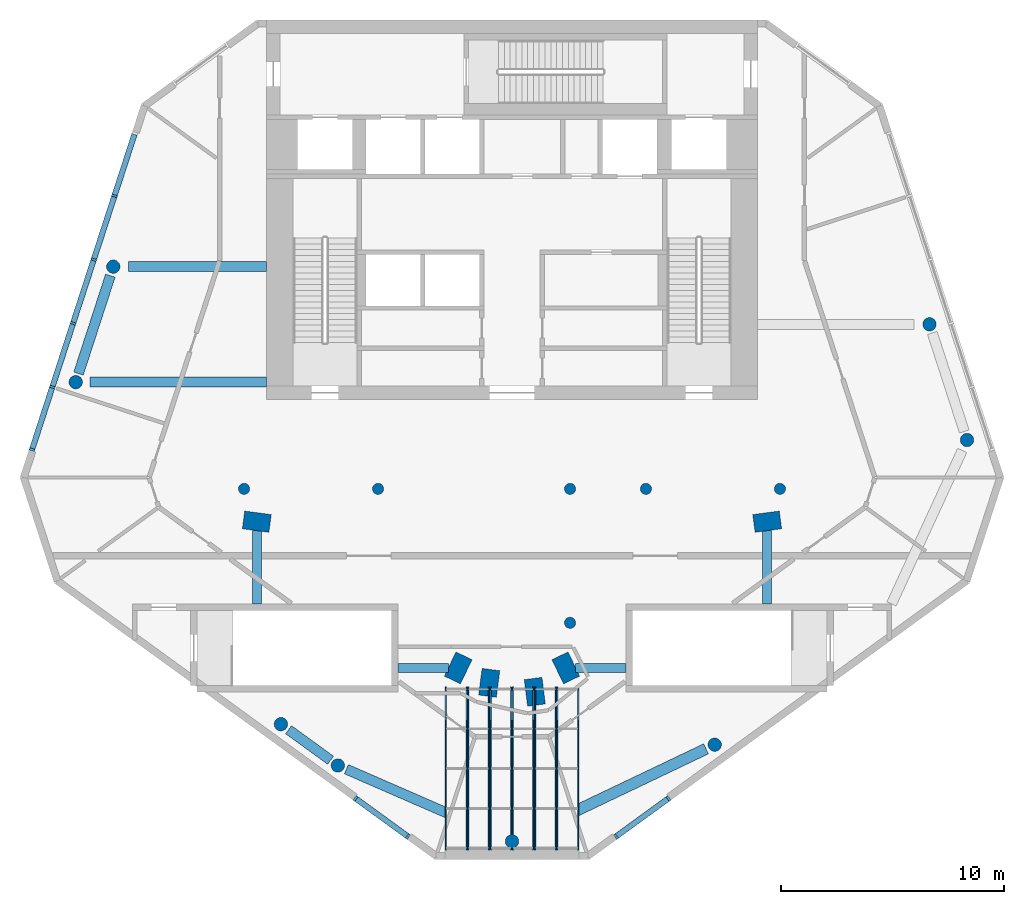
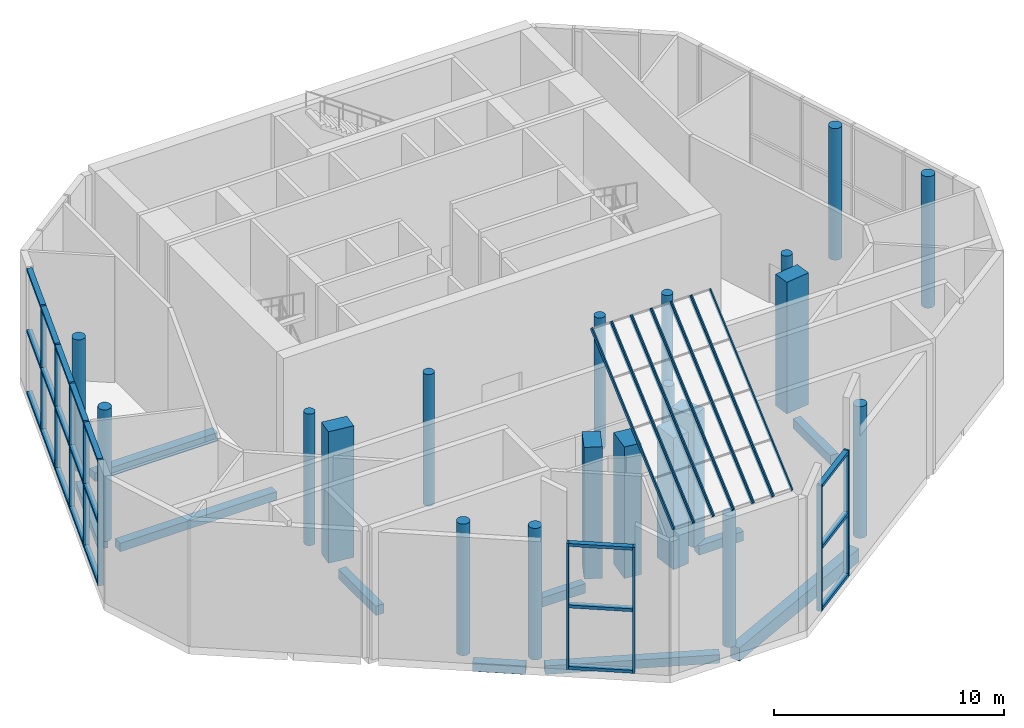
# One storey, part 1 of 9: 42 members, 20 columns, 10 beams, 9 elements without a shape of their own.
"""IFC4 building model written with IfcOpenShell, lengths in metres."""

from ifc_helpers import new_model, si_unit, direction, frame, origin, origin_2d, place, context, subcontext, project, spatial, rectangle, circle, extrude, material, material_profile, profile_set, type_object, element, aggregate, save


model = new_model("IFC4")

# Units and contexts
model_context = context("Model", 3, precision=1e-05, world=origin(), true_north=direction((0.0, 1.0)))
body_context = subcontext(model_context, "Body", "Model", "MODEL_VIEW")
ifc_project = project(units=[si_unit("LENGTHUNIT", "METRE"), si_unit("AREAUNIT", "SQUARE_METRE"), si_unit("VOLUMEUNIT", "CUBIC_METRE"), si_unit("PLANEANGLEUNIT", "RADIAN"), si_unit("MASSUNIT", "GRAM", prefix="KILO")], contexts=[model_context])

# Site, building, storey
site_placement = place(None, origin())
site = spatial("IfcSite", under=ifc_project, at=site_placement, CompositionType="ELEMENT")
building_placement = place(site_placement, origin())
building = spatial("IfcBuilding", under=site, at=building_placement, Name="White Candle Pilgrim Tower", CompositionType="ELEMENT")
storey_placement = place(building_placement, frame((0.0, 0.0, 321.699951171875)))
storey = spatial("IfcBuildingStorey", under=building, at=storey_placement, Name="L76", CompositionType="ELEMENT", Elevation=321.699951171875)

# Columns
ifc_material_1 = material(Name="Concrete C60/75", Category="concrete")
ifc_material_profile_1 = material_profile(ifc_material_1, circle(Radius=0.25, at=origin_2d()), Name="RC-COL D500")
ifc_profile_set_1 = profile_set([ifc_material_profile_1], Name="Concrete C60/75")
column_type_1 = type_object("IfcColumnType", Name="Interior column RC-COL D500 C60/75", PredefinedType="COLUMN", material=ifc_profile_set_1)
for number, where, z_axis, x_axis, name in (
    (1, (58.0, 67.0, 0.0), (0.0, 0.0, 1.0), (1.0, 0.0, 0.0), "L76 column I01"),
    (2, (64.0, 67.0, 0.0), (0.0, 0.0, 1.0), (1.0, 0.0, 0.0), "L76 column I02"),
    (3, (72.60009765625, 61.0, 0.0), (0.0, 0.0, 1.0), (1.0, 0.0, 0.0), "L76 column I03"),
    (4, (72.60009765625, 67.0, 0.0), (0.0, 0.0, 1.0), (1.0, 0.0, 0.0), "L76 column I04"),
    (5, (76.0, 67.0, 0.0), (0.0, 0.0, 1.0), (1.0, 0.0, 0.0), "L76 column I05"),
    (6, (82.0, 67.0, 0.0), (0.0, 0.0, 1.0), (1.0, 0.0, 0.0), "L76 column I06"),
):
    element("IfcColumn", number, at=place(storey_placement, frame(where, z_axis=z_axis, x_axis=x_axis)), inside=storey, type_object=column_type_1, Name=name, PredefinedType="COLUMN", context=body_context, shape_type="SweptSolid", body=[
        extrude(circle(Radius=0.25, at=origin_2d()), origin(), (0.0, 0.0, 1.0), 7.0),
    ])
ifc_material_profile_2 = material_profile(ifc_material_1, circle(Radius=0.300048828125, at=origin_2d()), Name="RC-COL D600")
ifc_profile_set_2 = profile_set([ifc_material_profile_2], Name="Concrete C60/75")
column_type_2 = type_object("IfcColumnType", Name="Perimeter column RC-COL D600 C60/75", PredefinedType="COLUMN", material=ifc_profile_set_2)
for number, where, z_axis, x_axis, name in (
    (7, (59.64990234375, 56.4599609375, 0.0), (0.0, 0.0, 1.0), (1.0, 0.0, 0.0), "L76 crown column T01"),
    (8, (62.199951171875, 54.610107421875, 0.0), (0.0, 0.0, 1.0), (1.0, 0.0, 0.0), "L76 crown column T02"),
    (9, (70.0, 51.2099609375, 0.0), (0.0, 0.0, 1.0), (1.0, 0.0, 0.0), "L76 crown column T03"),
    (10, (79.080078125, 55.5400390625, 0.0), (0.0, 0.0, 1.0), (1.0, 0.0, 0.0), "L76 crown column T04"),
    (11, (90.3798828125, 69.18994140625, 0.0), (0.0, 0.0, 1.0), (1.0, 0.0, 0.0), "L76 crown column T05"),
    (12, (88.699951171875, 74.3701171875, 0.0), (0.0, 0.0, 1.0), (1.0, 0.0, 0.0), "L76 crown column T06"),
    (13, (52.139892578125, 76.949951171875, 0.0), (0.0, 0.0, 1.0), (1.0, 0.0, 0.0), "L76 crown column T07"),
    (14, (50.4599609375, 71.780029296875, 0.0), (0.0, 0.0, 1.0), (1.0, 0.0, 0.0), "L76 crown column T08"),
):
    element("IfcColumn", number, at=place(storey_placement, frame(where, z_axis=z_axis, x_axis=x_axis)), inside=storey, type_object=column_type_2, Name=name, PredefinedType="COLUMN", context=body_context, shape_type="SweptSolid", body=[
        extrude(circle(Radius=0.300048828125, at=origin_2d()), origin(), (0.0, 0.0, 1.0), 7.0),
    ])
ifc_material_profile_3 = material_profile(ifc_material_1, rectangle(XDim=0.800048828125, YDim=1.199951171875, at=origin_2d()), Name="RC-PR 800x1200")
ifc_profile_set_3 = profile_set([ifc_material_profile_3], Name="Concrete C60/75")
column_type_3 = type_object("IfcColumnType", Name="Ring column RC-PR 800x1200 C60/75", PredefinedType="COLUMN", material=ifc_profile_set_3)
for number, where, z_axis, x_axis, name in (
    (15, (67.590087890625, 58.97998046875, 0.0), (0.0, 0.0, 1.0), (-0.901689191761, 0.43238478403, 0.0), "L76 column R01"),
    (16, (68.97998046875, 58.31005859375, 0.0), (0.0, 0.0, 1.0), (-0.992092811428, 0.125506388335, 0.0), "L76 column R02"),
    (17, (71.02001953125, 57.909912109375, 0.0), (0.0, 0.0, 1.0), (-0.992092811428, -0.125506388335, 0.0), "L76 column R03"),
    (18, (72.409912109375, 58.97998046875, 0.0), (0.0, 0.0, 1.0), (-0.901689191761, -0.43238478403, 0.0), "L76 column R04"),
    (19, (81.429931640625, 65.530029296875, 0.0), (0.0, 0.0, 1.0), (0.132602381688, -0.991169313675, 0.0), "L76 column R05"),
    (20, (58.570068359375, 65.530029296875, 0.0), (0.0, 0.0, 1.0), (0.132602381688, 0.991169313675, 0.0), "L76 column R06"),
):
    element("IfcColumn", number, at=place(storey_placement, frame(where, z_axis=z_axis, x_axis=x_axis)), inside=storey, type_object=column_type_3, Name=name, PredefinedType="COLUMN", context=body_context, shape_type="SweptSolid", body=[
        extrude(rectangle(XDim=0.800048828125, YDim=1.199951171875, at=origin_2d()), origin(), (0.0, 0.0, 1.0), 7.0),
    ])

# Curtain wall, members
ifc_material_2 = material(Name="Aluminium and glass", Category="aluminium")
curtain_wall_type_1 = type_object("IfcCurtainWallType", Name="Curtain wall CW5 observation deck glazing", PredefinedType="NOTDEFINED", material=ifc_material_2)
curtain_wall_1_placement = place(storey_placement, origin())
curtain_wall_1 = element("IfcCurtainWall", 21, at=curtain_wall_1_placement, inside=storey, type_object=curtain_wall_type_1, Name="Curtain wall CW5 L76 SW", PredefinedType="NOTDEFINED")
ifc_material_3 = material(Name="Aluminium", Category="aluminium")
ifc_material_profile_4 = material_profile(ifc_material_3, rectangle(XDim=0.25, YDim=0.10009765625, at=origin_2d()), Name="CW5 mullion 100x250")
ifc_profile_set_4 = profile_set([ifc_material_profile_4], Name="Aluminium")
member_type_1 = type_object("IfcMemberType", Name="CW5 mullion 100x250", PredefinedType="MULLION", material=ifc_profile_set_4)
member_1_placement = place(storey_placement, frame((62.994140625, 53.13134765625, 0.0), z_axis=(0.0, 0.0, 1.0), x_axis=(0.587785257362, 0.809016990692, 0.0)))
member_1 = element("IfcMember", 22, at=member_1_placement, type_object=member_type_1, Name="CW5 mullion 1", PredefinedType="MULLION", context=body_context, shape_type="SweptSolid", body=[
    extrude(rectangle(XDim=0.25, YDim=0.10009765625, at=origin_2d()), origin(), (0.0, 0.0, 1.0), 6.699951171875),
])
member_2_placement = place(storey_placement, frame((65.34033203125, 51.4267578125, 0.0), z_axis=(0.0, 0.0, 1.0), x_axis=(0.587785257362, 0.809016990692, 0.0)))
member_2 = element("IfcMember", 23, at=member_2_placement, type_object=member_type_1, Name="CW5 mullion 2", PredefinedType="MULLION", context=body_context, shape_type="SweptSolid", body=[
    extrude(rectangle(XDim=0.25, YDim=0.10009765625, at=origin_2d()), origin(), (0.0, 0.0, 1.0), 6.699951171875),
])

curtain_wall_2_placement = place(storey_placement, origin())
curtain_wall_2 = element("IfcCurtainWall", 24, at=curtain_wall_2_placement, inside=storey, type_object=curtain_wall_type_1, Name="Curtain wall CW5 L76 SE", PredefinedType="NOTDEFINED")
member_3_placement = place(storey_placement, frame((74.65966796875, 51.4267578125, 0.0), z_axis=(0.0, 0.0, 1.0), x_axis=(-0.587785257192, 0.809016990815, 0.0)))
member_3 = element("IfcMember", 25, at=member_3_placement, type_object=member_type_1, Name="CW5 mullion 1", PredefinedType="MULLION", context=body_context, shape_type="SweptSolid", body=[
    extrude(rectangle(XDim=0.25, YDim=0.10009765625, at=origin_2d()), origin(), (0.0, 0.0, 1.0), 6.699951171875),
])
member_4_placement = place(storey_placement, frame((77.005859375, 53.13134765625, 0.0), z_axis=(0.0, 0.0, 1.0), x_axis=(-0.587785257192, 0.809016990815, 0.0)))
member_4 = element("IfcMember", 26, at=member_4_placement, type_object=member_type_1, Name="CW5 mullion 2", PredefinedType="MULLION", context=body_context, shape_type="SweptSolid", body=[
    extrude(rectangle(XDim=0.25, YDim=0.10009765625, at=origin_2d()), origin(), (0.0, 0.0, 1.0), 6.699951171875),
])

curtain_wall_3_placement = place(storey_placement, origin())
curtain_wall_3 = element("IfcCurtainWall", 27, at=curtain_wall_3_placement, inside=storey, type_object=curtain_wall_type_1, Name="Curtain wall CW5 L76 WNW", PredefinedType="NOTDEFINED")
member_5_placement = place(storey_placement, frame((52.193115234375, 80.12109375, 0.0), z_axis=(0.0, 0.0, 1.0), x_axis=(0.951056515465, -0.309016996931, 0.0)))
member_5 = element("IfcMember", 28, at=member_5_placement, type_object=member_type_1, Name="CW5 mullion 2", PredefinedType="MULLION", context=body_context, shape_type="SweptSolid", body=[
    extrude(rectangle(XDim=0.25, YDim=0.10009765625, at=origin_2d()), origin(), (0.0, 0.0, 1.0), 6.699951171875),
])
member_6_placement = place(storey_placement, frame((51.26611328125, 77.26806640625, 0.0), z_axis=(0.0, 0.0, 1.0), x_axis=(0.951056515465, -0.309016996931, 0.0)))
member_6 = element("IfcMember", 29, at=member_6_placement, type_object=member_type_1, Name="CW5 mullion 3", PredefinedType="MULLION", context=body_context, shape_type="SweptSolid", body=[
    extrude(rectangle(XDim=0.25, YDim=0.10009765625, at=origin_2d()), origin(), (0.0, 0.0, 1.0), 6.699951171875),
])
member_7_placement = place(storey_placement, frame((50.3388671875, 74.414794921875, 0.0), z_axis=(0.0, 0.0, 1.0), x_axis=(0.951056515465, -0.309016996931, 0.0)))
member_7 = element("IfcMember", 30, at=member_7_placement, type_object=member_type_1, Name="CW5 mullion 4", PredefinedType="MULLION", context=body_context, shape_type="SweptSolid", body=[
    extrude(rectangle(XDim=0.25, YDim=0.10009765625, at=origin_2d()), origin(), (0.0, 0.0, 1.0), 6.699951171875),
])
member_8_placement = place(storey_placement, frame((49.411865234375, 71.561767578125, 0.0), z_axis=(0.0, 0.0, 1.0), x_axis=(0.951056515465, -0.309016996931, 0.0)))
member_8 = element("IfcMember", 31, at=member_8_placement, type_object=member_type_1, Name="CW5 mullion 5", PredefinedType="MULLION", context=body_context, shape_type="SweptSolid", body=[
    extrude(rectangle(XDim=0.25, YDim=0.10009765625, at=origin_2d()), origin(), (0.0, 0.0, 1.0), 6.699951171875),
])
member_9_placement = place(storey_placement, frame((48.500244140625, 68.756103515625, 0.0), z_axis=(0.0, 0.0, 1.0), x_axis=(0.951056515465, -0.309016996931, 0.0)))
member_9 = element("IfcMember", 32, at=member_9_placement, type_object=member_type_1, Name="CW5 mullion 6", PredefinedType="MULLION", context=body_context, shape_type="SweptSolid", body=[
    extrude(rectangle(XDim=0.25, YDim=0.10009765625, at=origin_2d()), origin(), (0.0, 0.0, 1.0), 6.699951171875),
])

# Member
ifc_material_profile_5 = material_profile(ifc_material_3, rectangle(XDim=0.25, YDim=0.159912109375, at=origin_2d()), Name="CW5 transom 160x250")
ifc_profile_set_5 = profile_set([ifc_material_profile_5], Name="Aluminium")
member_type_2 = type_object("IfcMemberType", Name="CW5 transom 160x250", PredefinedType="USERDEFINED", material=ifc_profile_set_5)
member_10_placement = place(storey_placement, frame((63.034423828125, 53.10205078125, 0.080078125), z_axis=(0.808999917602, -0.587808755736, 0.0), x_axis=(0.587808755736, 0.808999917602, 0.0)))
member_10 = element("IfcMember", 33, at=member_10_placement, type_object=member_type_2, Name="CW5 transom 1.1", ObjectType="TRANSOM", PredefinedType="USERDEFINED", context=body_context, shape_type="SweptSolid", body=[
    extrude(rectangle(XDim=0.25, YDim=0.159912109375, at=origin_2d()), origin(), (0.0, 0.0, 1.0), 2.80029296875),
])

member_11_placement = place(storey_placement, frame((63.034423828125, 53.10205078125, 3.35009765625), z_axis=(0.808999917602, -0.587808755736, 0.0), x_axis=(0.587808755736, 0.808999917602, 0.0)))
member_11 = element("IfcMember", 34, at=member_11_placement, type_object=member_type_2, Name="CW5 transom 1.2", ObjectType="TRANSOM", PredefinedType="USERDEFINED", context=body_context, shape_type="SweptSolid", body=[
    extrude(rectangle(XDim=0.25, YDim=0.159912109375, at=origin_2d()), origin(), (0.0, 0.0, 1.0), 2.80029296875),
])

member_12_placement = place(storey_placement, frame((63.034423828125, 53.10205078125, 6.6201171875), z_axis=(0.808999917602, -0.587808755736, 0.0), x_axis=(0.587808755736, 0.808999917602, 0.0)))
member_12 = element("IfcMember", 35, at=member_12_placement, type_object=member_type_2, Name="CW5 transom 1.3", ObjectType="TRANSOM", PredefinedType="USERDEFINED", context=body_context, shape_type="SweptSolid", body=[
    extrude(rectangle(XDim=0.25, YDim=0.159912109375, at=origin_2d()), origin(), (0.0, 0.0, 1.0), 2.80029296875),
])

aggregate(curtain_wall_1, [member_1, member_2, member_10, member_11, member_12])

member_13_placement = place(storey_placement, frame((74.7001953125, 51.4560546875, 0.080078125), z_axis=(0.808999917602, 0.587808755736, 0.0), x_axis=(-0.587808755736, 0.808999917602, 0.0)))
member_13 = element("IfcMember", 36, at=member_13_placement, type_object=member_type_2, Name="CW5 transom 1.1", ObjectType="TRANSOM", PredefinedType="USERDEFINED", context=body_context, shape_type="SweptSolid", body=[
    extrude(rectangle(XDim=0.25, YDim=0.159912109375, at=origin_2d()), origin(), (0.0, 0.0, 1.0), 2.80029296875),
])

member_14_placement = place(storey_placement, frame((74.7001953125, 51.4560546875, 3.35009765625), z_axis=(0.808999917602, 0.587808755736, 0.0), x_axis=(-0.587808755736, 0.808999917602, 0.0)))
member_14 = element("IfcMember", 37, at=member_14_placement, type_object=member_type_2, Name="CW5 transom 1.2", ObjectType="TRANSOM", PredefinedType="USERDEFINED", context=body_context, shape_type="SweptSolid", body=[
    extrude(rectangle(XDim=0.25, YDim=0.159912109375, at=origin_2d()), origin(), (0.0, 0.0, 1.0), 2.80029296875),
])

member_15_placement = place(storey_placement, frame((74.7001953125, 51.4560546875, 6.6201171875), z_axis=(0.808999917602, 0.587808755736, 0.0), x_axis=(-0.587808755736, 0.808999917602, 0.0)))
member_15 = element("IfcMember", 38, at=member_15_placement, type_object=member_type_2, Name="CW5 transom 1.3", ObjectType="TRANSOM", PredefinedType="USERDEFINED", context=body_context, shape_type="SweptSolid", body=[
    extrude(rectangle(XDim=0.25, YDim=0.159912109375, at=origin_2d()), origin(), (0.0, 0.0, 1.0), 2.80029296875),
])

aggregate(curtain_wall_2, [member_3, member_4, member_13, member_14, member_15])

member_16_placement = place(storey_placement, frame((53.089111328125, 82.879150390625, 0.080078125), z_axis=(-0.308996966804, -0.951063023414, 0.0), x_axis=(0.951063023414, -0.308996966804, 0.0)))
member_16 = element("IfcMember", 39, at=member_16_placement, type_object=member_type_2, Name="CW5 transom 1.1", ObjectType="TRANSOM", PredefinedType="USERDEFINED", context=body_context, shape_type="SweptSolid", body=[
    extrude(rectangle(XDim=0.25, YDim=0.159912109375, at=origin_2d()), origin(), (0.0, 0.0, 1.0), 2.849853515625),
])

member_17_placement = place(storey_placement, frame((53.089111328125, 82.879150390625, 3.35009765625), z_axis=(-0.308996966804, -0.951063023414, 0.0), x_axis=(0.951063023414, -0.308996966804, 0.0)))
member_17 = element("IfcMember", 40, at=member_17_placement, type_object=member_type_2, Name="CW5 transom 1.2", ObjectType="TRANSOM", PredefinedType="USERDEFINED", context=body_context, shape_type="SweptSolid", body=[
    extrude(rectangle(XDim=0.25, YDim=0.159912109375, at=origin_2d()), origin(), (0.0, 0.0, 1.0), 2.849853515625),
])

member_18_placement = place(storey_placement, frame((53.089111328125, 82.879150390625, 6.6201171875), z_axis=(-0.308996966804, -0.951063023414, 0.0), x_axis=(0.951063023414, -0.308996966804, 0.0)))
member_18 = element("IfcMember", 41, at=member_18_placement, type_object=member_type_2, Name="CW5 transom 1.3", ObjectType="TRANSOM", PredefinedType="USERDEFINED", context=body_context, shape_type="SweptSolid", body=[
    extrude(rectangle(XDim=0.25, YDim=0.159912109375, at=origin_2d()), origin(), (0.0, 0.0, 1.0), 2.849853515625),
])

member_19_placement = place(storey_placement, frame((52.177490234375, 80.07373046875, 0.080078125), z_axis=(-0.308969948659, -0.951071801089, 0.0), x_axis=(0.951071801089, -0.308969948659, 0.0)))
member_19 = element("IfcMember", 42, at=member_19_placement, type_object=member_type_2, Name="CW5 transom 2.1", ObjectType="TRANSOM", PredefinedType="USERDEFINED", context=body_context, shape_type="SweptSolid", body=[
    extrude(rectangle(XDim=0.25, YDim=0.159912109375, at=origin_2d()), origin(), (0.0, 0.0, 1.0), 2.89990234375),
])

member_20_placement = place(storey_placement, frame((52.177490234375, 80.07373046875, 3.35009765625), z_axis=(-0.308969948659, -0.951071801089, 0.0), x_axis=(0.951071801089, -0.308969948659, 0.0)))
member_20 = element("IfcMember", 43, at=member_20_placement, type_object=member_type_2, Name="CW5 transom 2.2", ObjectType="TRANSOM", PredefinedType="USERDEFINED", context=body_context, shape_type="SweptSolid", body=[
    extrude(rectangle(XDim=0.25, YDim=0.159912109375, at=origin_2d()), origin(), (0.0, 0.0, 1.0), 2.89990234375),
])

member_21_placement = place(storey_placement, frame((52.177490234375, 80.07373046875, 6.6201171875), z_axis=(-0.308969948659, -0.951071801089, 0.0), x_axis=(0.951071801089, -0.308969948659, 0.0)))
member_21 = element("IfcMember", 44, at=member_21_placement, type_object=member_type_2, Name="CW5 transom 2.3", ObjectType="TRANSOM", PredefinedType="USERDEFINED", context=body_context, shape_type="SweptSolid", body=[
    extrude(rectangle(XDim=0.25, YDim=0.159912109375, at=origin_2d()), origin(), (0.0, 0.0, 1.0), 2.89990234375),
])

member_22_placement = place(storey_placement, frame((51.25048828125, 77.220458984375, 0.080078125), z_axis=(-0.308969948659, -0.951071801089, 0.0), x_axis=(0.951071801089, -0.308969948659, 0.0)))
member_22 = element("IfcMember", 45, at=member_22_placement, type_object=member_type_2, Name="CW5 transom 3.1", ObjectType="TRANSOM", PredefinedType="USERDEFINED", context=body_context, shape_type="SweptSolid", body=[
    extrude(rectangle(XDim=0.25, YDim=0.159912109375, at=origin_2d()), origin(), (0.0, 0.0, 1.0), 2.89990234375),
])

member_23_placement = place(storey_placement, frame((51.25048828125, 77.220458984375, 3.35009765625), z_axis=(-0.308969948659, -0.951071801089, 0.0), x_axis=(0.951071801089, -0.308969948659, 0.0)))
member_23 = element("IfcMember", 46, at=member_23_placement, type_object=member_type_2, Name="CW5 transom 3.2", ObjectType="TRANSOM", PredefinedType="USERDEFINED", context=body_context, shape_type="SweptSolid", body=[
    extrude(rectangle(XDim=0.25, YDim=0.159912109375, at=origin_2d()), origin(), (0.0, 0.0, 1.0), 2.89990234375),
])

member_24_placement = place(storey_placement, frame((51.25048828125, 77.220458984375, 6.6201171875), z_axis=(-0.308969948659, -0.951071801089, 0.0), x_axis=(0.951071801089, -0.308969948659, 0.0)))
member_24 = element("IfcMember", 47, at=member_24_placement, type_object=member_type_2, Name="CW5 transom 3.3", ObjectType="TRANSOM", PredefinedType="USERDEFINED", context=body_context, shape_type="SweptSolid", body=[
    extrude(rectangle(XDim=0.25, YDim=0.159912109375, at=origin_2d()), origin(), (0.0, 0.0, 1.0), 2.89990234375),
])

member_25_placement = place(storey_placement, frame((50.323486328125, 74.3671875, 0.080078125), z_axis=(-0.309046096893, -0.951047059821, 0.0), x_axis=(0.951047059821, -0.309046096893, 0.0)))
member_25 = element("IfcMember", 48, at=member_25_placement, type_object=member_type_2, Name="CW5 transom 4.1", ObjectType="TRANSOM", PredefinedType="USERDEFINED", context=body_context, shape_type="SweptSolid", body=[
    extrude(rectangle(XDim=0.25, YDim=0.159912109375, at=origin_2d()), origin(), (0.0, 0.0, 1.0), 2.89990234375),
])

member_26_placement = place(storey_placement, frame((50.323486328125, 74.3671875, 3.35009765625), z_axis=(-0.309046096893, -0.951047059821, 0.0), x_axis=(0.951047059821, -0.309046096893, 0.0)))
member_26 = element("IfcMember", 49, at=member_26_placement, type_object=member_type_2, Name="CW5 transom 4.2", ObjectType="TRANSOM", PredefinedType="USERDEFINED", context=body_context, shape_type="SweptSolid", body=[
    extrude(rectangle(XDim=0.25, YDim=0.159912109375, at=origin_2d()), origin(), (0.0, 0.0, 1.0), 2.89990234375),
])

member_27_placement = place(storey_placement, frame((50.323486328125, 74.3671875, 6.6201171875), z_axis=(-0.309046096893, -0.951047059821, 0.0), x_axis=(0.951047059821, -0.309046096893, 0.0)))
member_27 = element("IfcMember", 50, at=member_27_placement, type_object=member_type_2, Name="CW5 transom 4.3", ObjectType="TRANSOM", PredefinedType="USERDEFINED", context=body_context, shape_type="SweptSolid", body=[
    extrude(rectangle(XDim=0.25, YDim=0.159912109375, at=origin_2d()), origin(), (0.0, 0.0, 1.0), 2.89990234375),
])

member_28_placement = place(storey_placement, frame((49.396484375, 71.51416015625, 0.080078125), z_axis=(-0.308996966804, -0.951063023414, 0.0), x_axis=(0.951063023414, -0.308996966804, 0.0)))
member_28 = element("IfcMember", 51, at=member_28_placement, type_object=member_type_2, Name="CW5 transom 5.1", ObjectType="TRANSOM", PredefinedType="USERDEFINED", context=body_context, shape_type="SweptSolid", body=[
    extrude(rectangle(XDim=0.25, YDim=0.159912109375, at=origin_2d()), origin(), (0.0, 0.0, 1.0), 2.849853515625),
])

member_29_placement = place(storey_placement, frame((49.396484375, 71.51416015625, 3.35009765625), z_axis=(-0.308996966804, -0.951063023414, 0.0), x_axis=(0.951063023414, -0.308996966804, 0.0)))
member_29 = element("IfcMember", 52, at=member_29_placement, type_object=member_type_2, Name="CW5 transom 5.2", ObjectType="TRANSOM", PredefinedType="USERDEFINED", context=body_context, shape_type="SweptSolid", body=[
    extrude(rectangle(XDim=0.25, YDim=0.159912109375, at=origin_2d()), origin(), (0.0, 0.0, 1.0), 2.849853515625),
])

member_30_placement = place(storey_placement, frame((49.396484375, 71.51416015625, 6.6201171875), z_axis=(-0.308996966804, -0.951063023414, 0.0), x_axis=(0.951063023414, -0.308996966804, 0.0)))
member_30 = element("IfcMember", 53, at=member_30_placement, type_object=member_type_2, Name="CW5 transom 5.3", ObjectType="TRANSOM", PredefinedType="USERDEFINED", context=body_context, shape_type="SweptSolid", body=[
    extrude(rectangle(XDim=0.25, YDim=0.159912109375, at=origin_2d()), origin(), (0.0, 0.0, 1.0), 2.849853515625),
])

aggregate(curtain_wall_3, [member_5, member_6, member_7, member_8, member_9, member_16, member_17, member_18, member_19, member_20, member_21, member_22, member_23, member_24, member_25, member_26, member_27, member_28, member_29, member_30])

# Curtain wall, members
curtain_wall_type_2 = type_object("IfcCurtainWallType", Name="Skylight CW6 sloped glazing", PredefinedType="NOTDEFINED", material=ifc_material_2)
curtain_wall_4_placement = place(storey_placement, origin())
curtain_wall_4 = element("IfcCurtainWall", 54, at=curtain_wall_4_placement, inside=storey, type_object=curtain_wall_type_2, Name="Skylight sloped curtain wall 1", PredefinedType="NOTDEFINED")
ifc_material_profile_6 = material_profile(ifc_material_3, rectangle(XDim=0.06005859375, YDim=0.199951171875, at=origin_2d()), Name="CW6 mullion 60x200")
ifc_profile_set_6 = profile_set([ifc_material_profile_6], Name="Aluminium")
member_type_3 = type_object("IfcMemberType", Name="CW6 mullion 60x200", PredefinedType="MULLION", material=ifc_profile_set_6)
member_31_placement = place(storey_placement, frame((67.030029296875, 50.8876953125, 7.305908203125), z_axis=(0.0, 0.748696134978, 0.662913340844), x_axis=(-1.0, 0.0, 0.0)))
member_31 = element("IfcMember", 55, at=member_31_placement, type_object=member_type_3, Name="Skylight mullion 1.1", PredefinedType="MULLION", context=body_context, shape_type="SweptSolid", body=[
    extrude(rectangle(XDim=0.06005859375, YDim=0.199951171875, at=origin_2d()), origin(), (0.0, 0.0, 1.0), 9.58837890625),
])
member_32_placement = place(storey_placement, frame((67.969970703125, 50.8876953125, 7.305908203125), z_axis=(0.0, 0.748696134978, 0.662913340844), x_axis=(-1.0, 0.0, 0.0)))
member_32 = element("IfcMember", 56, at=member_32_placement, type_object=member_type_3, Name="Skylight mullion 1.2", PredefinedType="MULLION", context=body_context, shape_type="SweptSolid", body=[
    extrude(rectangle(XDim=0.06005859375, YDim=0.199951171875, at=origin_2d()), origin(), (0.0, 0.0, 1.0), 9.58837890625),
])
aggregate(curtain_wall_4, [member_31, member_32])

curtain_wall_5_placement = place(storey_placement, origin())
curtain_wall_5 = element("IfcCurtainWall", 57, at=curtain_wall_5_placement, inside=storey, type_object=curtain_wall_type_2, Name="Skylight sloped curtain wall 2", PredefinedType="NOTDEFINED")
member_33_placement = place(storey_placement, frame((68.030029296875, 50.8876953125, 7.305908203125), z_axis=(0.0, 0.748696134978, 0.662913340844), x_axis=(-1.0, 0.0, 0.0)))
member_33 = element("IfcMember", 58, at=member_33_placement, type_object=member_type_3, Name="Skylight mullion 2.1", PredefinedType="MULLION", context=body_context, shape_type="SweptSolid", body=[
    extrude(rectangle(XDim=0.06005859375, YDim=0.199951171875, at=origin_2d()), origin(), (0.0, 0.0, 1.0), 9.58837890625),
])
member_34_placement = place(storey_placement, frame((68.969970703125, 50.8876953125, 7.305908203125), z_axis=(0.0, 0.748696134978, 0.662913340844), x_axis=(-1.0, 0.0, 0.0)))
member_34 = element("IfcMember", 59, at=member_34_placement, type_object=member_type_3, Name="Skylight mullion 2.2", PredefinedType="MULLION", context=body_context, shape_type="SweptSolid", body=[
    extrude(rectangle(XDim=0.06005859375, YDim=0.199951171875, at=origin_2d()), origin(), (0.0, 0.0, 1.0), 9.58837890625),
])
aggregate(curtain_wall_5, [member_33, member_34])

curtain_wall_6_placement = place(storey_placement, origin())
curtain_wall_6 = element("IfcCurtainWall", 60, at=curtain_wall_6_placement, inside=storey, type_object=curtain_wall_type_2, Name="Skylight sloped curtain wall 3", PredefinedType="NOTDEFINED")
member_35_placement = place(storey_placement, frame((69.030029296875, 50.8876953125, 7.305908203125), z_axis=(0.0, 0.748696134978, 0.662913340844), x_axis=(-1.0, 0.0, 0.0)))
member_35 = element("IfcMember", 61, at=member_35_placement, type_object=member_type_3, Name="Skylight mullion 3.1", PredefinedType="MULLION", context=body_context, shape_type="SweptSolid", body=[
    extrude(rectangle(XDim=0.06005859375, YDim=0.199951171875, at=origin_2d()), origin(), (0.0, 0.0, 1.0), 9.58837890625),
])
member_36_placement = place(storey_placement, frame((69.969970703125, 50.8876953125, 7.305908203125), z_axis=(0.0, 0.748696134978, 0.662913340844), x_axis=(-1.0, 0.0, 0.0)))
member_36 = element("IfcMember", 62, at=member_36_placement, type_object=member_type_3, Name="Skylight mullion 3.2", PredefinedType="MULLION", context=body_context, shape_type="SweptSolid", body=[
    extrude(rectangle(XDim=0.06005859375, YDim=0.199951171875, at=origin_2d()), origin(), (0.0, 0.0, 1.0), 9.58837890625),
])
aggregate(curtain_wall_6, [member_35, member_36])

curtain_wall_7_placement = place(storey_placement, origin())
curtain_wall_7 = element("IfcCurtainWall", 63, at=curtain_wall_7_placement, inside=storey, type_object=curtain_wall_type_2, Name="Skylight sloped curtain wall 4", PredefinedType="NOTDEFINED")
member_37_placement = place(storey_placement, frame((70.030029296875, 50.8876953125, 7.305908203125), z_axis=(0.0, 0.748696134978, 0.662913340844), x_axis=(-1.0, 0.0, 0.0)))
member_37 = element("IfcMember", 64, at=member_37_placement, type_object=member_type_3, Name="Skylight mullion 4.1", PredefinedType="MULLION", context=body_context, shape_type="SweptSolid", body=[
    extrude(rectangle(XDim=0.06005859375, YDim=0.199951171875, at=origin_2d()), origin(), (0.0, 0.0, 1.0), 9.58837890625),
])
member_38_placement = place(storey_placement, frame((70.969970703125, 50.8876953125, 7.305908203125), z_axis=(0.0, 0.748696134978, 0.662913340844), x_axis=(-1.0, 0.0, 0.0)))
member_38 = element("IfcMember", 65, at=member_38_placement, type_object=member_type_3, Name="Skylight mullion 4.2", PredefinedType="MULLION", context=body_context, shape_type="SweptSolid", body=[
    extrude(rectangle(XDim=0.06005859375, YDim=0.199951171875, at=origin_2d()), origin(), (0.0, 0.0, 1.0), 9.58837890625),
])
aggregate(curtain_wall_7, [member_37, member_38])

curtain_wall_8_placement = place(storey_placement, origin())
curtain_wall_8 = element("IfcCurtainWall", 66, at=curtain_wall_8_placement, inside=storey, type_object=curtain_wall_type_2, Name="Skylight sloped curtain wall 5", PredefinedType="NOTDEFINED")
member_39_placement = place(storey_placement, frame((71.030029296875, 50.8876953125, 7.305908203125), z_axis=(0.0, 0.748696134978, 0.662913340844), x_axis=(-1.0, 0.0, 0.0)))
member_39 = element("IfcMember", 67, at=member_39_placement, type_object=member_type_3, Name="Skylight mullion 5.1", PredefinedType="MULLION", context=body_context, shape_type="SweptSolid", body=[
    extrude(rectangle(XDim=0.06005859375, YDim=0.199951171875, at=origin_2d()), origin(), (0.0, 0.0, 1.0), 9.58837890625),
])
member_40_placement = place(storey_placement, frame((71.969970703125, 50.8876953125, 7.305908203125), z_axis=(0.0, 0.748696134978, 0.662913340844), x_axis=(-1.0, 0.0, 0.0)))
member_40 = element("IfcMember", 68, at=member_40_placement, type_object=member_type_3, Name="Skylight mullion 5.2", PredefinedType="MULLION", context=body_context, shape_type="SweptSolid", body=[
    extrude(rectangle(XDim=0.06005859375, YDim=0.199951171875, at=origin_2d()), origin(), (0.0, 0.0, 1.0), 9.58837890625),
])
aggregate(curtain_wall_8, [member_39, member_40])

curtain_wall_9_placement = place(storey_placement, origin())
curtain_wall_9 = element("IfcCurtainWall", 69, at=curtain_wall_9_placement, inside=storey, type_object=curtain_wall_type_2, Name="Skylight sloped curtain wall 6", PredefinedType="NOTDEFINED")
member_41_placement = place(storey_placement, frame((72.030029296875, 50.8876953125, 7.305908203125), z_axis=(0.0, 0.748696134978, 0.662913340844), x_axis=(-1.0, 0.0, 0.0)))
member_41 = element("IfcMember", 70, at=member_41_placement, type_object=member_type_3, Name="Skylight mullion 6.1", PredefinedType="MULLION", context=body_context, shape_type="SweptSolid", body=[
    extrude(rectangle(XDim=0.06005859375, YDim=0.199951171875, at=origin_2d()), origin(), (0.0, 0.0, 1.0), 9.58837890625),
])
member_42_placement = place(storey_placement, frame((72.969970703125, 50.8876953125, 7.305908203125), z_axis=(0.0, 0.748696134978, 0.662913340844), x_axis=(-1.0, 0.0, 0.0)))
member_42 = element("IfcMember", 71, at=member_42_placement, type_object=member_type_3, Name="Skylight mullion 6.2", PredefinedType="MULLION", context=body_context, shape_type="SweptSolid", body=[
    extrude(rectangle(XDim=0.06005859375, YDim=0.199951171875, at=origin_2d()), origin(), (0.0, 0.0, 1.0), 9.58837890625),
])
aggregate(curtain_wall_9, [member_41, member_42])

# Beams
ifc_material_4 = material(Name="Concrete C50/60", Category="concrete")
ifc_material_profile_7 = material_profile(ifc_material_4, rectangle(XDim=0.39990234375, YDim=0.5, at=origin_2d()), Name="RC-BM 400x500")
ifc_profile_set_7 = profile_set([ifc_material_profile_7], Name="Concrete C50/60")
beam_type_1 = type_object("IfcBeamType", Name="Ring beam RC-BM 400x500 C50/60", PredefinedType="BEAM", material=ifc_profile_set_7)
beam_1_placement = place(storey_placement, frame((72.853515625, 58.97998046875, -0.64990234375), z_axis=(1.0, 0.0, 0.0), x_axis=(0.0, 1.0, 0.0)))
element("IfcBeam", 72, at=beam_1_placement, inside=storey, type_object=beam_type_1, Name="L76 ring beam R01", PredefinedType="BEAM", context=body_context, shape_type="SweptSolid", body=[
    extrude(rectangle(XDim=0.39990234375, YDim=0.5, at=origin_2d()), origin(), (0.0, 0.0, 1.0), 2.24658203125),
])
for number, where, z_axis, x_axis, name in (
    (73, (81.429931640625, 65.12646484375, -0.64990234375), (0.0, -1.0, 0.0), (1.0, 0.0, 0.0), "L76 ring beam R02"),
    (74, (58.570068359375, 65.12646484375, -0.64990234375), (0.0, -1.0, 0.0), (1.0, 0.0, 0.0), "L76 ring beam R03"),
):
    element("IfcBeam", number, at=place(storey_placement, frame(where, z_axis=z_axis, x_axis=x_axis)), inside=storey, type_object=beam_type_1, Name=name, PredefinedType="BEAM", context=body_context, shape_type="SweptSolid", body=[
        extrude(rectangle(XDim=0.39990234375, YDim=0.5, at=origin_2d()), origin(), (0.0, 0.0, 1.0), 3.2763671875),
    ])
beam_2_placement = place(storey_placement, frame((67.146484375, 58.97998046875, -0.64990234375), z_axis=(-1.0, 0.0, 0.0), x_axis=(0.0, -1.0, 0.0)))
element("IfcBeam", 75, at=beam_2_placement, inside=storey, type_object=beam_type_1, Name="L76 ring beam R04", PredefinedType="BEAM", context=body_context, shape_type="SweptSolid", body=[
    extrude(rectangle(XDim=0.39990234375, YDim=0.5, at=origin_2d()), origin(), (0.0, 0.0, 1.0), 2.24658203125),
])
ifc_material_profile_8 = material_profile(ifc_material_4, rectangle(XDim=0.449951171875, YDim=0.449951171875, at=origin_2d()), Name="RC-BM 450x450")
ifc_profile_set_8 = profile_set([ifc_material_profile_8], Name="Concrete C50/60")
beam_type_2 = type_object("IfcBeamType", Name="Spandrel beam RC-BM 450x450 C50/60", PredefinedType="BEAM", material=ifc_profile_set_8)
beam_3_placement = place(storey_placement, frame((59.990478515625, 56.212890625, -0.625), z_axis=(0.809447251057, -0.58719259852, 0.0), x_axis=(0.58719259852, 0.809447251057, 0.0)))
element("IfcBeam", 76, at=beam_3_placement, inside=storey, type_object=beam_type_2, Name="L76 spandrel beam T01", PredefinedType="BEAM", context=body_context, shape_type="SweptSolid", body=[
    extrude(rectangle(XDim=0.449951171875, YDim=0.449951171875, at=origin_2d()), origin(), (0.0, 0.0, 1.0), 2.328857421875),
])
beam_4_placement = place(storey_placement, frame((62.581787109375, 54.443603515625, -0.625), z_axis=(0.9167046502, -0.399565494382, 0.0), x_axis=(0.399565494382, 0.9167046502, 0.0)))
element("IfcBeam", 77, at=beam_4_placement, inside=storey, type_object=beam_type_2, Name="L76 spandrel beam T02", PredefinedType="BEAM", context=body_context, shape_type="SweptSolid", body=[
    extrude(rectangle(XDim=0.449951171875, YDim=0.449951171875, at=origin_2d()), origin(), (0.0, 0.0, 1.0), 7.656005859375),
])
beam_5_placement = place(storey_placement, frame((52.8212890625, 76.949951171875, -0.625), z_axis=(1.0, 0.0, 0.0), x_axis=(0.0, 1.0, 0.0)))
element("IfcBeam", 78, at=beam_5_placement, inside=storey, type_object=beam_type_2, Name="L76 spandrel beam T07", PredefinedType="BEAM", context=body_context, shape_type="SweptSolid", body=[
    extrude(rectangle(XDim=0.449951171875, YDim=0.449951171875, at=origin_2d()), origin(), (0.0, 0.0, 1.0), 6.1787109375),
])
beam_6_placement = place(storey_placement, frame((52.010009765625, 76.550048828125, -0.625), z_axis=(-0.309013100196, -0.951057781582, 0.0), x_axis=(0.951057781582, -0.309013100196, 0.0)))
element("IfcBeam", 79, at=beam_6_placement, inside=storey, type_object=beam_type_2, Name="L76 spandrel beam T08", PredefinedType="BEAM", context=body_context, shape_type="SweptSolid", body=[
    extrude(rectangle(XDim=0.449951171875, YDim=0.449951171875, at=origin_2d()), origin(), (0.0, 0.0, 1.0), 4.61474609375),
])
beam_7_placement = place(storey_placement, frame((51.105712890625, 71.780029296875, -0.625), z_axis=(1.0, 0.0, 0.0), x_axis=(0.0, 1.0, 0.0)))
element("IfcBeam", 80, at=beam_7_placement, inside=storey, type_object=beam_type_2, Name="L76 spandrel beam T09", PredefinedType="BEAM", context=body_context, shape_type="SweptSolid", body=[
    extrude(rectangle(XDim=0.449951171875, YDim=0.449951171875, at=origin_2d()), origin(), (0.0, 0.0, 1.0), 7.894287109375),
])
ifc_material_profile_9 = material_profile(ifc_material_4, rectangle(XDim=0.5, YDim=0.699951171875, at=origin_2d()), Name="RC-BM 500x700")
ifc_profile_set_9 = profile_set([ifc_material_profile_9], Name="Concrete C50/60")
beam_type_3 = type_object("IfcBeamType", Name="Spandrel beam RC-BM 500x700 C50/60", PredefinedType="BEAM", material=ifc_profile_set_9)
beam_8_placement = place(storey_placement, frame((70.39990234375, 51.400634765625, -0.75), z_axis=(0.902616230729, 0.430446210373, 0.0), x_axis=(-0.430446210373, 0.902616230729, 0.0)))
element("IfcBeam", 81, at=beam_8_placement, inside=storey, type_object=beam_type_3, Name="L76 spandrel beam T03", PredefinedType="BEAM", context=body_context, shape_type="SweptSolid", body=[
    extrude(rectangle(XDim=0.5, YDim=0.699951171875, at=origin_2d()), origin(), (0.0, 0.0, 1.0), 9.1865234375),
])

save(model, "model.ifc")
